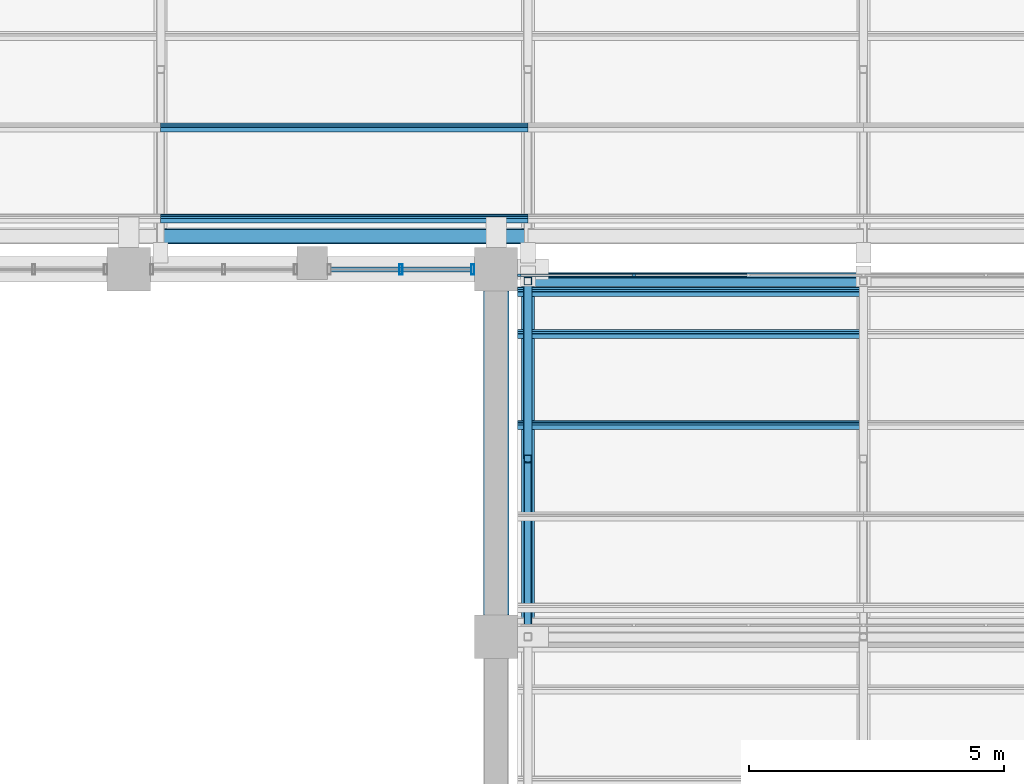
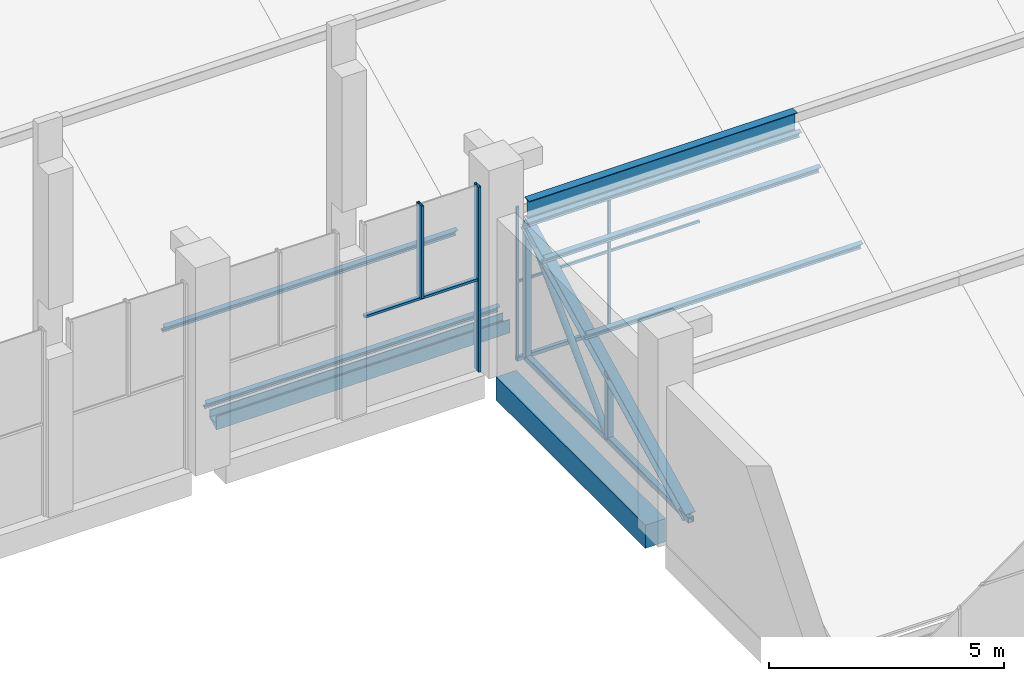
# One storey, part 32 of 83: 20 members, 1 beam, 2 elements without a shape of their own.
"""IFC4 building model written with IfcOpenShell, lengths in metres."""

from ifc_helpers import new_model, si_unit, direction, frame, origin, origin_2d, place, context, subcontext, project, spatial, polyline, rectangle, hollow_rectangle, hollow_circle, i_section, outline, extrude, material, material_profile, profile_set, type_object, element, aggregate, save


model = new_model("IFC4")

# Units and contexts
model_context = context("Model", 3, precision=1e-05, world=origin(), true_north=direction((0.0, 1.0)))
body_context = subcontext(model_context, "Body", "Model", "MODEL_VIEW")
ifc_project = project(units=[si_unit("LENGTHUNIT", "METRE"), si_unit("AREAUNIT", "SQUARE_METRE"), si_unit("VOLUMEUNIT", "CUBIC_METRE"), si_unit("PLANEANGLEUNIT", "RADIAN"), si_unit("MASSUNIT", "GRAM", prefix="KILO")], contexts=[model_context])

# Site, building, storey
site_placement = place(None, origin())
site = spatial("IfcSite", under=ifc_project, at=site_placement, CompositionType="ELEMENT")
building_placement = place(site_placement, origin())
building = spatial("IfcBuilding", under=site, at=building_placement, Name="Silangan Lancet Faculty of Sciences", CompositionType="ELEMENT")
storey_placement = place(building_placement, frame((0.0, 0.0, 11.39990234375)))
storey = spatial("IfcBuildingStorey", under=building, at=storey_placement, Name="L02", CompositionType="ELEMENT", Elevation=11.39990234375)

# Beam
ifc_material_1 = material(Name="Concrete C40/50", Category="concrete")
ifc_material_profile_1 = material_profile(ifc_material_1, rectangle(XDim=0.5, YDim=0.60009765625, at=origin_2d()), Name="RC 500x600")
ifc_profile_set_1 = profile_set([ifc_material_profile_1], Name="Concrete C40/50")
beam_type = type_object("IfcBeamType", Name="BEAM RC 500x600", PredefinedType="BEAM", material=ifc_profile_set_1)
beam_placement = place(storey_placement, frame((50.39990234375, 29.22509765625, -0.2998046875), z_axis=(0.0, 1.0, 0.0), x_axis=(-1.0, 0.0, 0.0)))
element("IfcBeam", 1, at=beam_placement, inside=storey, type_object=beam_type, Name="BM-L02-8E-8F", PredefinedType="BEAM", context=body_context, shape_type="SweptSolid", body=[
    extrude(rectangle(XDim=0.5, YDim=0.60009765625, at=origin_2d()), origin(), (0.0, 0.0, 1.0), 6.349853515625),
])

# Curtain wall, members
ifc_material_2 = material(Name="Aluminium framed curtain wall with insulated glass", Category="aluminium")
curtain_wall_type_1 = type_object("IfcCurtainWallType", Name="CW5 Nave north light glazing", PredefinedType="NOTDEFINED", material=ifc_material_2)
curtain_wall_1_placement = place(storey_placement, origin())
curtain_wall_1 = element("IfcCurtainWall", 2, at=curtain_wall_1_placement, inside=storey, type_object=curtain_wall_type_1, Name="CW5 Nave north lights L02 bay 1", PredefinedType="NOTDEFINED")
ifc_material_3 = material(Name="Aluminium 6063-T6 extrusion", Category="aluminium")
ifc_material_profile_2 = material_profile(ifc_material_3, hollow_rectangle(XDim=0.06005859375, YDim=0.199951171875, WallThickness=0.00390625, at=origin_2d()), Name="AL BOX 60x200x4")
ifc_profile_set_2 = profile_set([ifc_material_profile_2], Name="Aluminium 6063-T6 extrusion")
member_type_1 = type_object("IfcMemberType", Name="CM1 Mullion 60x200", PredefinedType="MULLION", material=ifc_profile_set_2)
member_1_placement = place(storey_placement, frame((49.945068359375, 36.0, 0.0), z_axis=(0.0, 0.0, 1.0), x_axis=(-1.0, 0.0, 0.0)))
member_1 = element("IfcMember", 3, at=member_1_placement, type_object=member_type_1, Name="CW5 Nave north lights L02 bay 1 mullion 1", PredefinedType="MULLION", context=body_context, shape_type="SweptSolid", body=[
    extrude(hollow_rectangle(XDim=0.06005859375, YDim=0.199951171875, WallThickness=0.00390625, at=origin_2d()), origin(), (0.0, 0.0, 1.0), 4.800048828125),
])
member_2_placement = place(storey_placement, frame((48.53759765625, 36.0, 2.400146484375), z_axis=(0.0, 0.0, 1.0), x_axis=(-1.0, 0.0, 0.0)))
member_2 = element("IfcMember", 4, at=member_2_placement, type_object=member_type_1, Name="CW5 Nave north lights L02 bay 1 mullion 3", PredefinedType="MULLION", context=body_context, shape_type="SweptSolid", body=[
    extrude(hollow_rectangle(XDim=0.06005859375, YDim=0.199951171875, WallThickness=0.00390625, at=origin_2d()), origin(), (0.0, 0.0, 1.0), 2.39990234375),
])
ifc_material_4 = material(Name="Aluminium 6063-T6 extrusion", Category="aluminium")
ifc_material_profile_3 = material_profile(ifc_material_4, hollow_rectangle(XDim=0.10009765625, YDim=0.06005859375, WallThickness=0.0029296875, at=origin_2d()), Name="AL BOX 100x60x3")
ifc_profile_set_3 = profile_set([ifc_material_profile_3], Name="Aluminium 6063-T6 extrusion")
member_type_2 = type_object("IfcMemberType", Name="CT1 Transom 100x60", PredefinedType="USERDEFINED", material=ifc_profile_set_3)
member_3_placement = place(storey_placement, frame((49.9150390625, 36.0, 2.3701171875), z_axis=(-1.0, 0.0, 0.0), x_axis=(0.0, -1.0, 0.0)))
member_3 = element("IfcMember", 5, at=member_3_placement, type_object=member_type_2, Name="CW5 Nave north lights L02 bay 1 transom 1", ObjectType="TRANSOM", PredefinedType="USERDEFINED", context=body_context, shape_type="SweptSolid", body=[
    extrude(hollow_rectangle(XDim=0.10009765625, YDim=0.06005859375, WallThickness=0.0029296875, at=origin_2d()), origin(), (0.0, 0.0, 1.0), 2.755126953125),
])
aggregate(curtain_wall_1, [member_1, member_2, member_3])

# Members
ifc_material_5 = material(Name="Steel SS400", Category="steel")
ifc_material_profile_4 = material_profile(ifc_material_5, i_section(OverallWidth=0.199951171875, OverallDepth=0.5, WebThickness=0.010009765625, FlangeThickness=0.01611328125, FilletRadius=0.02001953125, at=origin_2d()), Name="H 500x200x10x16")
ifc_profile_set_4 = profile_set([ifc_material_profile_4], Name="Steel SS400")
member_type_3 = type_object("IfcMemberType", Name="Exposed ridge beam H 500x200x10x16", PredefinedType="MEMBER", material=ifc_profile_set_4)
member_4_placement = place(storey_placement, frame((51.02490234375, 35.77001953125, 3.93701171875), z_axis=(1.0, 0.0, 0.0), x_axis=(0.0, 1.0, 0.0)))
element("IfcMember", 6, at=member_4_placement, inside=storey, type_object=member_type_3, Name="Exposed ridge beam AUD-2-1", PredefinedType="MEMBER", context=body_context, shape_type="SweptSolid", body=[
    extrude(i_section(OverallWidth=0.199951171875, OverallDepth=0.5, WebThickness=0.010009765625, FlangeThickness=0.01611328125, FilletRadius=0.02001953125, at=origin_2d()), origin(), (0.0, 0.0, 1.0), 6.5751953125),
])
ifc_material_6 = material(Name="Steel STKR400", Category="steel")
ifc_material_profile_5 = material_profile(ifc_material_6, hollow_rectangle(XDim=0.10009765625, YDim=0.10009765625, WallThickness=0.006103515625, InnerFilletRadius=0.006103515625, OuterFilletRadius=0.011962890625, at=origin_2d()), Name="SHS 100x100x6.0")
ifc_profile_set_5 = profile_set([ifc_material_profile_5], Name="Steel STKR400")
member_type_4 = type_object("IfcMemberType", Name="Light sill SHS 100x100x6.0", PredefinedType="MEMBER", material=ifc_profile_set_5)
member_5_placement = place(storey_placement, frame((50.824951171875, 35.885009765625, 0.050048828125), z_axis=(1.0, 0.0, 0.0), x_axis=(0.0, 1.0, 0.0)))
element("IfcMember", 7, at=member_5_placement, inside=storey, type_object=member_type_4, Name="North light sill AUD-2-1", PredefinedType="MEMBER", context=body_context, shape_type="SweptSolid", body=[
    extrude(hollow_rectangle(XDim=0.10009765625, YDim=0.10009765625, WallThickness=0.006103515625, InnerFilletRadius=0.006103515625, OuterFilletRadius=0.011962890625, at=origin_2d()), origin(), (0.0, 0.0, 1.0), 6.775146484375),
])

# Curtain wall, members
ifc_material_7 = material(Name="Aluminium and laminated glass", Category="aluminium")
curtain_wall_type_2 = type_object("IfcCurtainWallType", Name="North light glazing system", PredefinedType="NOTDEFINED", material=ifc_material_7)
curtain_wall_2_placement = place(storey_placement, origin())
curtain_wall_2 = element("IfcCurtainWall", 8, at=curtain_wall_2_placement, inside=storey, type_object=curtain_wall_type_2, Name="North light glazing AUD-2-1", PredefinedType="NOTDEFINED")
ifc_material_8 = material(Name="Aluminium 6063-T6", Category="aluminium")
ifc_material_profile_6 = material_profile(ifc_material_8, rectangle(XDim=0.06005859375, YDim=0.050048828125, at=origin_2d()), Name="AL 60x50")
ifc_profile_set_6 = profile_set([ifc_material_profile_6], Name="Aluminium 6063-T6")
member_type_5 = type_object("IfcMemberType", Name="North light mullion 60x50", PredefinedType="MULLION", material=ifc_profile_set_6)
member_6_placement = place(storey_placement, frame((50.85498046875, 35.885009765625, 0.10009765625), z_axis=(0.0, 0.0, 1.0), x_axis=(1.0, 0.0, 0.0)))
member_6 = element("IfcMember", 9, at=member_6_placement, type_object=member_type_5, Name="North light mullion AUD-2-1 1", PredefinedType="MULLION", context=body_context, shape_type="SweptSolid", body=[
    extrude(rectangle(XDim=0.06005859375, YDim=0.050048828125, at=origin_2d()), origin(), (0.0, 0.0, 1.0), 3.887939453125),
])
member_7_placement = place(storey_placement, frame((53.103271484375, 35.885009765625, 0.10009765625), z_axis=(0.0, 0.0, 1.0), x_axis=(1.0, 0.0, 0.0)))
member_7 = element("IfcMember", 10, at=member_7_placement, type_object=member_type_5, Name="North light mullion AUD-2-1 2", PredefinedType="MULLION", context=body_context, shape_type="SweptSolid", body=[
    extrude(rectangle(XDim=0.06005859375, YDim=0.050048828125, at=origin_2d()), origin(), (0.0, 0.0, 1.0), 3.887939453125),
])
ifc_material_9 = material(Name="Aluminium 6063-T6", Category="aluminium")
ifc_material_profile_7 = material_profile(ifc_material_9, rectangle(XDim=0.050048828125, YDim=0.06005859375, at=origin_2d()), Name="AL 50x60")
ifc_profile_set_7 = profile_set([ifc_material_profile_7], Name="Aluminium 6063-T6")
member_type_6 = type_object("IfcMemberType", Name="North light transom 50x60", PredefinedType="USERDEFINED", material=ifc_profile_set_7)
member_8_placement = place(storey_placement, frame((50.824951171875, 35.885009765625, 2.044189453125), z_axis=(1.0, 0.0, 0.0), x_axis=(0.0, 1.0, 0.0)))
member_8 = element("IfcMember", 11, at=member_8_placement, type_object=member_type_6, Name="North light transom AUD-2-1 1", ObjectType="TRANSOM", PredefinedType="USERDEFINED", context=body_context, shape_type="SweptSolid", body=[
    extrude(rectangle(XDim=0.050048828125, YDim=0.06005859375, at=origin_2d()), origin(), (0.0, 0.0, 1.0), 2.248291015625),
])
member_9_placement = place(storey_placement, frame((53.13330078125, 35.885009765625, 2.044189453125), z_axis=(1.0, 0.0, 0.0), x_axis=(0.0, 1.0, 0.0)))
member_9 = element("IfcMember", 12, at=member_9_placement, type_object=member_type_6, Name="North light transom AUD-2-1 2", ObjectType="TRANSOM", PredefinedType="USERDEFINED", context=body_context, shape_type="SweptSolid", body=[
    extrude(rectangle(XDim=0.050048828125, YDim=0.06005859375, at=origin_2d()), origin(), (0.0, 0.0, 1.0), 2.1884765625),
])
aggregate(curtain_wall_2, [member_6, member_7, member_8, member_9])

# Members
ifc_material_10 = material(Name="Steel SS400", Category="steel")
ifc_material_profile_8 = material_profile(ifc_material_10, i_section(OverallWidth=0.10009765625, OverallDepth=0.199951171875, WebThickness=0.005615234375, FlangeThickness=0.008056640625, FilletRadius=0.008056640625, at=origin_2d()), Name="H 200x100x5.5x8")
ifc_profile_set_8 = profile_set([ifc_material_profile_8], Name="Steel SS400")
member_type_7 = type_object("IfcMemberType", Name="Sheeting purlin H 200x100x5.5x8", PredefinedType="PURLIN", material=ifc_profile_set_8)
for number, where, z_axis, x_axis, name in (
    (13, (43.824951171875, 36.9951171875, 0.6318359375), (1.0, 0.0, 0.0), (0.0, 0.894427192382, 0.447213592736), "Sheeting purlin NAB-1-3 1"),
    (14, (43.824951171875, 38.7841796875, 1.526123046875), (1.0, 0.0, 0.0), (0.0, 0.894427192382, 0.447213592736), "Sheeting purlin NAB-1-3 2"),
):
    element("IfcMember", number, at=place(storey_placement, frame(where, z_axis=z_axis, x_axis=x_axis)), inside=storey, type_object=member_type_7, Name=name, PredefinedType="PURLIN", context=body_context, shape_type="SweptSolid", body=[
        extrude(i_section(OverallWidth=0.10009765625, OverallDepth=0.199951171875, WebThickness=0.005615234375, FlangeThickness=0.008056640625, FilletRadius=0.008056640625, at=origin_2d()), origin(), (0.0, 0.0, 1.0), 7.199951171875),
    ])
for number, where, z_axis, x_axis, name in (
    (15, (50.824951171875, 32.947998046875, 2.420654296875), (1.0, 0.0, 0.0), (0.0, 0.894427192382, 0.447213592736), "Sheeting purlin AUD-2-1 3"),
    (16, (50.824951171875, 34.73681640625, 3.31494140625), (1.0, 0.0, 0.0), (0.0, 0.894427192382, 0.447213592736), "Sheeting purlin AUD-2-1 4"),
    (17, (50.824951171875, 35.56201171875, 3.727783203125), (1.0, 0.0, 0.0), (0.0, 0.894427192382, 0.447213592736), "Sheeting purlin AUD-2-1 5"),
):
    element("IfcMember", number, at=place(storey_placement, frame(where, z_axis=z_axis, x_axis=x_axis)), inside=storey, type_object=member_type_7, Name=name, PredefinedType="PURLIN", context=body_context, shape_type="SweptSolid", body=[
        extrude(i_section(OverallWidth=0.10009765625, OverallDepth=0.199951171875, WebThickness=0.005615234375, FlangeThickness=0.008056640625, FilletRadius=0.008056640625, at=origin_2d()), origin(), (0.0, 0.0, 1.0), 6.775146484375),
    ])
ifc_material_11 = material(Name="Steel STKR400", Category="steel")
ifc_material_profile_9 = material_profile(ifc_material_11, hollow_rectangle(XDim=0.14990234375, YDim=0.14990234375, WallThickness=0.009033203125, InnerFilletRadius=0.009033203125, OuterFilletRadius=0.01806640625, at=origin_2d()), Name="SHS 150x150x9.0")
ifc_profile_set_9 = profile_set([ifc_material_profile_9], Name="Steel STKR400")
member_type_8 = type_object("IfcMemberType", Name="Truss bottom chord SHS 150x150x9.0", PredefinedType="CHORD", material=ifc_profile_set_9)
member_10_placement = place(storey_placement, frame((51.02490234375, 28.800048828125, 0.09521484375), z_axis=(0.0, 1.0, 0.0), x_axis=(-1.0, 0.0, 0.0)))
element("IfcMember", 18, at=member_10_placement, inside=storey, type_object=member_type_8, Name="Truss 1 bottom chord 2", PredefinedType="CHORD", context=body_context, shape_type="SweptSolid", body=[
    extrude(hollow_rectangle(XDim=0.14990234375, YDim=0.14990234375, WallThickness=0.009033203125, InnerFilletRadius=0.009033203125, OuterFilletRadius=0.01806640625, at=origin_2d()), origin(), (0.0, 0.0, 1.0), 6.969970703125),
])
ifc_material_12 = material(Name="Steel STK400", Category="steel")
ifc_material_profile_10 = material_profile(ifc_material_12, hollow_circle(Radius=0.08251953125, WallThickness=0.0048828125, at=origin_2d()), Name="CHS 165.2x5.0")
ifc_profile_set_10 = profile_set([ifc_material_profile_10], Name="Steel STK400")
member_type_9 = type_object("IfcMemberType", Name="Truss diagonal CHS 165.2x5.0", PredefinedType="BRACE", material=ifc_profile_set_10)
member_11_placement = place(storey_placement, frame((51.02490234375, 32.284912109375, 0.09521484375), z_axis=(0.0, 0.707131548933, 0.707082012572), x_axis=(-1.0, 0.0, 0.0)))
element("IfcMember", 19, at=member_11_placement, inside=storey, type_object=member_type_9, Name="Truss 1 diagonal 2", PredefinedType="BRACE", context=body_context, shape_type="SweptSolid", body=[
    extrude(hollow_circle(Radius=0.08251953125, WallThickness=0.0048828125, at=origin_2d()), origin(), (0.0, 0.0, 1.0), 4.928466796875),
])
ifc_material_13 = material(Name="Steel STKR400", Category="steel")
ifc_material_profile_11 = material_profile(ifc_material_13, hollow_rectangle(XDim=0.14990234375, YDim=0.14990234375, WallThickness=0.006103515625, InnerFilletRadius=0.006103515625, OuterFilletRadius=0.011962890625, at=origin_2d()), Name="SHS 150x150x6.0")
ifc_profile_set_11 = profile_set([ifc_material_profile_11], Name="Steel STKR400")
member_type_10 = type_object("IfcMemberType", Name="Truss post SHS 150x150x6.0", PredefinedType="POST", material=ifc_profile_set_11)
member_12_placement = place(storey_placement, frame((51.02490234375, 35.77001953125, 0.09521484375), z_axis=(0.0, 0.0, 1.0), x_axis=(1.0, 0.0, 0.0)))
element("IfcMember", 20, at=member_12_placement, inside=storey, type_object=member_type_10, Name="Truss 1 riser post 2", PredefinedType="POST", context=body_context, shape_type="SweptSolid", body=[
    extrude(hollow_rectangle(XDim=0.14990234375, YDim=0.14990234375, WallThickness=0.006103515625, InnerFilletRadius=0.006103515625, OuterFilletRadius=0.011962890625, at=origin_2d()), origin(), (0.0, 0.0, 1.0), 3.48486328125),
])
member_13_placement = place(storey_placement, frame((51.02490234375, 32.284912109375, 0.09521484375), z_axis=(0.0, 0.0, 1.0), x_axis=(1.0, 0.0, 0.0)))
element("IfcMember", 21, at=member_13_placement, inside=storey, type_object=member_type_10, Name="Truss 1 mid post 2", PredefinedType="POST", context=body_context, shape_type="SweptSolid", body=[
    extrude(hollow_rectangle(XDim=0.14990234375, YDim=0.14990234375, WallThickness=0.006103515625, InnerFilletRadius=0.006103515625, OuterFilletRadius=0.011962890625, at=origin_2d()), origin(), (0.0, 0.0, 1.0), 1.742431640625),
])
ifc_material_14 = material(Name="Steel SS400", Category="steel")
ifc_material_profile_12 = material_profile(ifc_material_14, i_section(OverallWidth=0.25, OverallDepth=0.25, WebThickness=0.009033203125, FlangeThickness=0.013916015625, FilletRadius=0.01611328125, at=origin_2d()), Name="H 250x250x9x14")
ifc_profile_set_12 = profile_set([ifc_material_profile_12], Name="Steel SS400")
member_type_11 = type_object("IfcMemberType", Name="Truss top chord H 250x250x9x14", PredefinedType="CHORD", material=ifc_profile_set_12)
member_14_placement = place(storey_placement, frame((51.02490234375, 28.880615234375, 0.13525390625), z_axis=(0.0, 0.894420851771, 0.447226273734), x_axis=(-1.0, 0.0, 0.0)))
element("IfcMember", 22, at=member_14_placement, inside=storey, type_object=member_type_11, Name="Truss 1 top chord 2", PredefinedType="CHORD", context=body_context, shape_type="SweptSolid", body=[
    extrude(i_section(OverallWidth=0.25, OverallDepth=0.25, WebThickness=0.009033203125, FlangeThickness=0.013916015625, FilletRadius=0.01611328125, at=origin_2d()), origin(), (0.0, 0.0, 1.0), 7.70263671875),
])
ifc_material_15 = material(Name="Stainless steel", Category="steel")
ifc_material_profile_13 = material_profile(ifc_material_15, outline(polyline([(-0.14990234375, 0.0), (0.14990234375, 0.14990234375), (0.14990234375, 0.35009765625), (0.1298828125, 0.35009765625), (0.1298828125, 0.169921875), (-0.1298828125, 0.169921875), (-0.1298828125, 0.35009765625), (-0.14990234375, 0.35009765625), (-0.14990234375, 0.0)])), Name="valley gutter")
ifc_profile_set_13 = profile_set([ifc_material_profile_13], Name="Stainless steel")
member_type_12 = type_object("IfcMemberType", Name="Valley gutter 300 wide", PredefinedType="USERDEFINED", material=ifc_profile_set_13)
member_15_placement = place(storey_placement, frame((43.824951171875, 36.64990234375, 0.2724609375), z_axis=(1.0, 0.0, 0.0), x_axis=(0.0, 1.0, 0.0)))
element("IfcMember", 23, at=member_15_placement, inside=storey, type_object=member_type_12, Name="Valley gutter NAB-1-3", ObjectType="GUTTER", PredefinedType="USERDEFINED", context=body_context, shape_type="SweptSolid", body=[
    extrude(outline(polyline([(-0.14990234375, 0.0), (0.14990234375, 0.14990234375), (0.14990234375, 0.35009765625), (0.1298828125, 0.35009765625), (0.1298828125, 0.169921875), (-0.1298828125, 0.169921875), (-0.1298828125, 0.35009765625), (-0.14990234375, 0.35009765625), (-0.14990234375, 0.0)])), origin(), (0.0, 0.0, 1.0), 7.199951171875),
])

save(model, "model.ifc")
